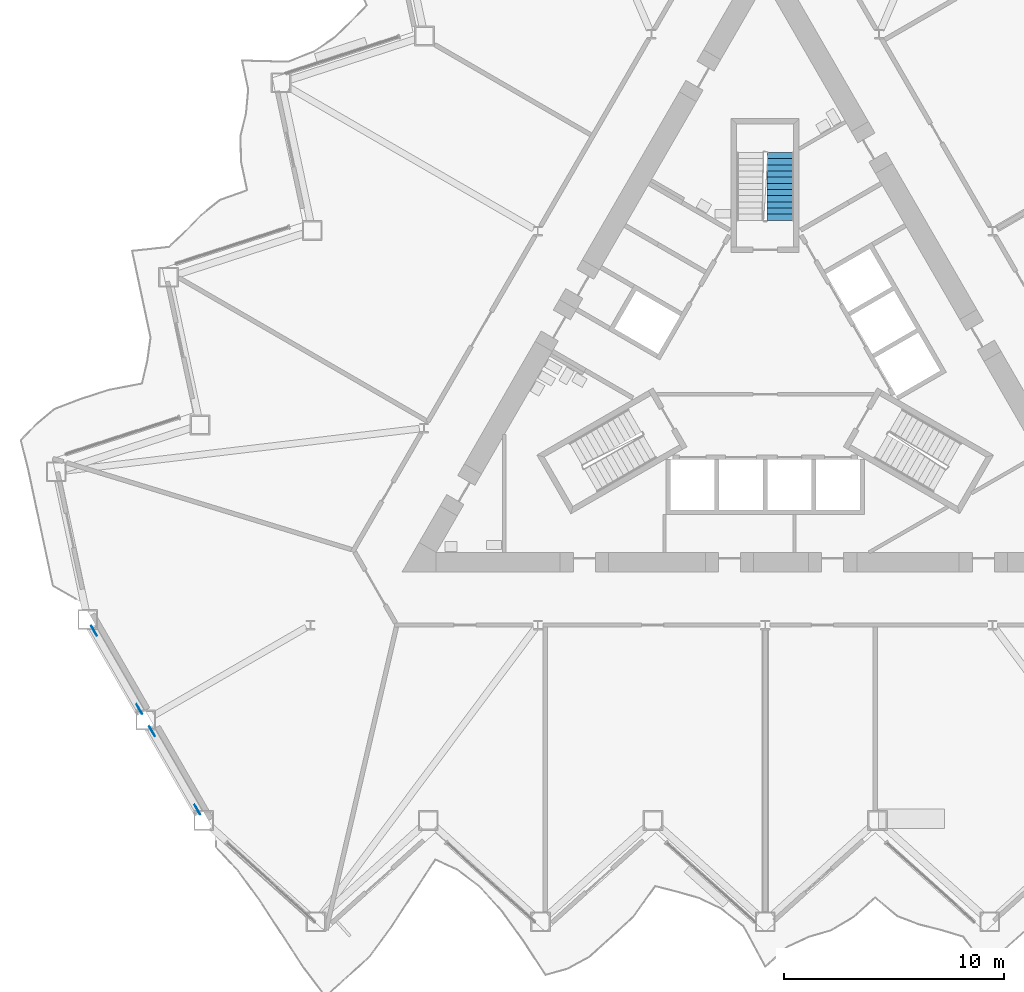
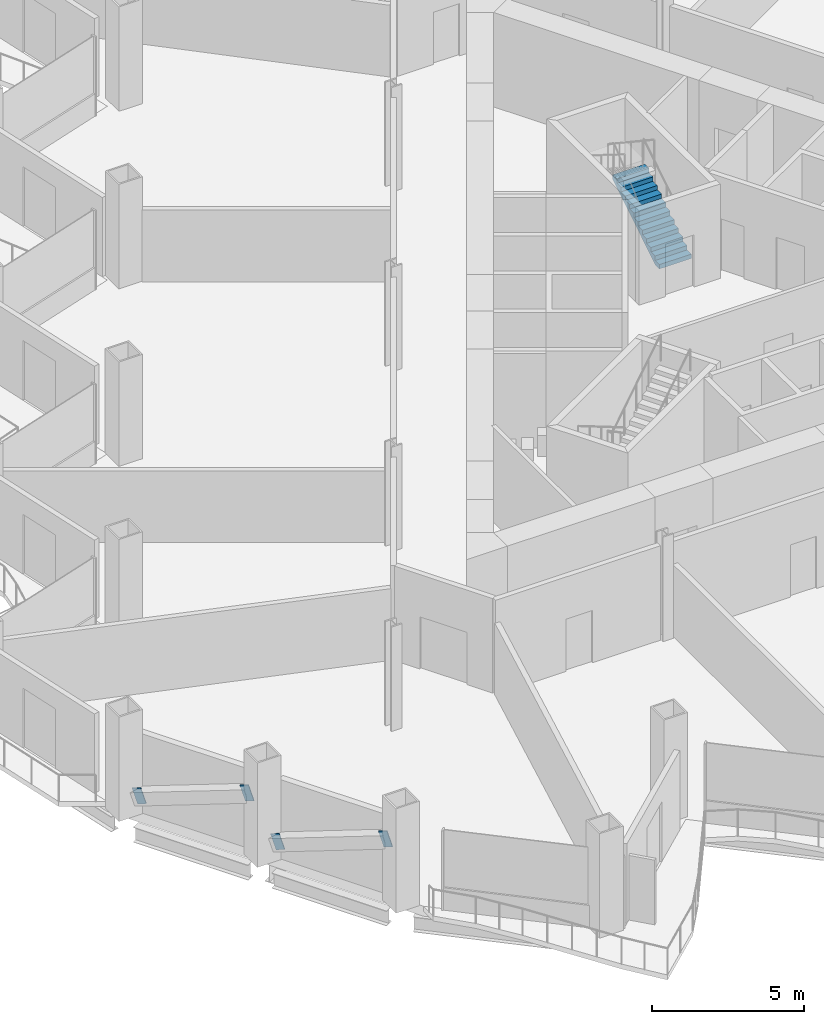
# One storey, part 14 of 21: 4 discrete accessories, 1 stair flight, 1 element without a shape of its own.
"""IFC4 building model written with IfcOpenShell, lengths in metres."""

from ifc_helpers import new_model, si_unit, direction, frame, origin, origin_2d, place, context, subcontext, project, spatial, polyline, rectangle, outline, extrude, material, material_profile, profile_set, type_object, element, aggregate, save


model = new_model("IFC4")

# Units and contexts
model_context = context("Model", 3, precision=1e-05, world=origin(), true_north=direction((0.0, 1.0)))
body_context = subcontext(model_context, "Body", "Model", "MODEL_VIEW")
ifc_project = project(units=[si_unit("LENGTHUNIT", "METRE"), si_unit("AREAUNIT", "SQUARE_METRE"), si_unit("VOLUMEUNIT", "CUBIC_METRE"), si_unit("PLANEANGLEUNIT", "RADIAN"), si_unit("MASSUNIT", "GRAM", prefix="KILO")], contexts=[model_context])

# Site, building, storey
site_placement = place(None, origin())
site = spatial("IfcSite", under=ifc_project, at=site_placement, CompositionType="ELEMENT")
building_placement = place(site_placement, origin())
building = spatial("IfcBuilding", under=site, at=building_placement, Name="Cormorant Prow Tower", CompositionType="ELEMENT")
storey_placement = place(building_placement, frame((0.0, 0.0, 103.800048828125)))
storey = spatial("IfcBuildingStorey", under=building, at=storey_placement, Name="L21", CompositionType="ELEMENT", Elevation=103.800048828125)

# Stair, stair flight
ifc_material_1 = material(Name="Exit stair 24 risers")
stair_type = type_object("IfcStairType", Name="Exit stair 24 risers", PredefinedType="HALF_TURN_STAIR", material=ifc_material_1)
stair_placement = place(storey_placement, origin())
stair = element("IfcStair", 1, at=stair_placement, inside=storey, type_object=stair_type, Name="L21 Exit stair ST3", PredefinedType="HALF_TURN_STAIR")
ifc_material_2 = material(Name="Concrete 5000 psi", Category="concrete")
stair_flight_type = type_object("IfcStairFlightType", Name="Stair flight 1219", PredefinedType="STRAIGHT", material=ifc_material_2)
stair_flight_placement = place(storey_placement, frame((0.6845703125, 6.455810546875, 0.0), z_axis=(0.0, 0.0, 1.0), x_axis=(0.0, 1.0, 0.0)))
stair_flight = element("IfcStairFlight", 2, at=stair_flight_placement, type_object=stair_flight_type, Name="ST3 flight 1", NumberOfRisers=12, NumberOfTreads=11, PredefinedType="STRAIGHT", RiserHeight=0.175, TreadLength=0.28, context=body_context, shape_type="SweptSolid", body=[
    extrude(outline(polyline([(0.0, 0.0), (0.0, 0.175048828125), (0.280029296875, 0.175048828125), (0.280029296875, 0.35009765625), (0.56005859375, 0.35009765625), (0.56005859375, 0.52490234375), (0.840087890625, 0.52490234375), (0.840087890625, 0.699951171875), (1.1201171875, 0.699951171875), (1.1201171875, 0.875), (1.39990234375, 0.875), (1.39990234375, 1.050048828125), (1.679931640625, 1.050048828125), (1.679931640625, 1.22509765625), (1.9599609375, 1.22509765625), (1.9599609375, 1.39990234375), (2.239990234375, 1.39990234375), (2.239990234375, 1.574951171875), (2.52001953125, 1.574951171875), (2.52001953125, 1.75), (2.800048828125, 1.75), (2.800048828125, 1.925048828125), (3.080078125, 1.925048828125), (3.080078125, 2.10009765625), (3.080078125, 1.748291015625), (0.28271484375, 0.0), (0.0, 0.0)])), frame((0.0, 0.609375, 0.0), z_axis=(0.0, -1.0, 0.0), x_axis=(1.0, 0.0, 0.0)), (0.0, 0.0, 1.0), 1.218994140625),
])
aggregate(stair, [stair_flight])

# Discrete accessories
ifc_material_3 = material(Name="Structural steel ASTM A500 Gr C", Category="steel")
ifc_material_profile = material_profile(ifc_material_3, rectangle(XDim=0.031982421875, YDim=0.60791015625, at=origin_2d()), Name="Gusset plate 32x608")
ifc_profile_set = profile_set([ifc_material_profile], Name="Structural steel ASTM A500 Gr C")
discrete_accessory_type = type_object("IfcDiscreteAccessoryType", Name="Gusset plate 32x608", PredefinedType="BRACKET", material=ifc_profile_set)
for number, where, z_axis, x_axis, name in (
    (3, (-30.39501953125, -12.328125, 0.88232421875), (-0.467903125124, 0.810288273314, -0.352844979601), (-0.865987003449, -0.500066505434, 0.0), "Gusset plate GP1 L21.WSW00.g0"),
    (4, (-28.5087890625, -15.59521484375, 2.306396484375), (0.467903125124, -0.810288273314, 0.352844979601), (0.865987003449, 0.500066505434, 0.0), "Gusset plate GP1 L21.WSW00.g1"),
):
    element("IfcDiscreteAccessory", number, at=place(storey_placement, frame(where, z_axis=z_axis, x_axis=x_axis)), inside=storey, type_object=discrete_accessory_type, Name=name, PredefinedType="BRACKET", context=body_context, shape_type="SweptSolid", body=[
        extrude(rectangle(XDim=0.031982421875, YDim=0.60791015625, at=origin_2d()), origin(), (0.0, 0.0, 1.0), 0.35009765625),
    ])
discrete_accessory_1_placement = place(storey_placement, frame((-27.76025390625, -16.8916015625, 0.88232421875), z_axis=(-0.468167615655, 0.810048586848, -0.353044431477), x_axis=(-0.865800459427, -0.500389412813, 0.0)))
element("IfcDiscreteAccessory", 5, at=discrete_accessory_1_placement, inside=storey, type_object=discrete_accessory_type, Name="Gusset plate GP1 L21.WSW01.g0", PredefinedType="BRACKET", context=body_context, shape_type="SweptSolid", body=[
    extrude(rectangle(XDim=0.031982421875, YDim=0.60791015625, at=origin_2d()), origin(), (0.0, 0.0, 1.0), 0.349853515625),
])
discrete_accessory_2_placement = place(storey_placement, frame((-25.8740234375, -20.158935546875, 2.306396484375), z_axis=(0.467903125124, -0.810288273314, 0.352844979601), x_axis=(0.865987003449, 0.500066505434, 0.0)))
element("IfcDiscreteAccessory", 6, at=discrete_accessory_2_placement, inside=storey, type_object=discrete_accessory_type, Name="Gusset plate GP1 L21.WSW01.g1", PredefinedType="BRACKET", context=body_context, shape_type="SweptSolid", body=[
    extrude(rectangle(XDim=0.031982421875, YDim=0.60791015625, at=origin_2d()), origin(), (0.0, 0.0, 1.0), 0.35009765625),
])

save(model, "model.ifc")
